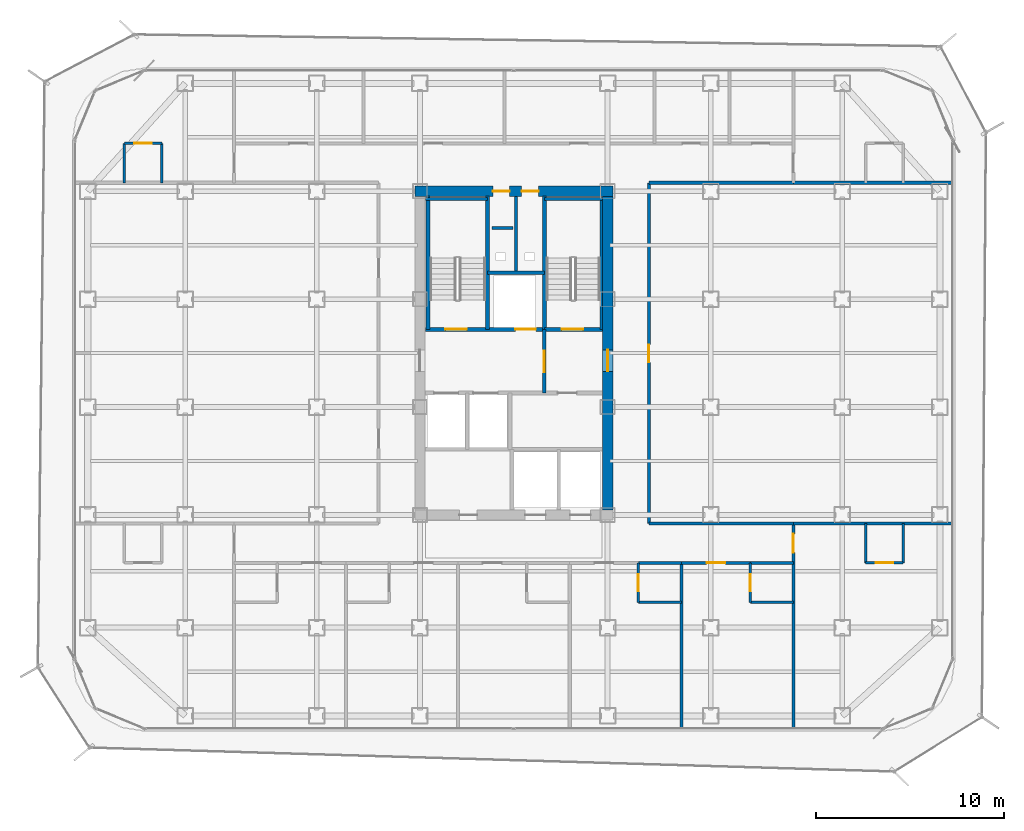
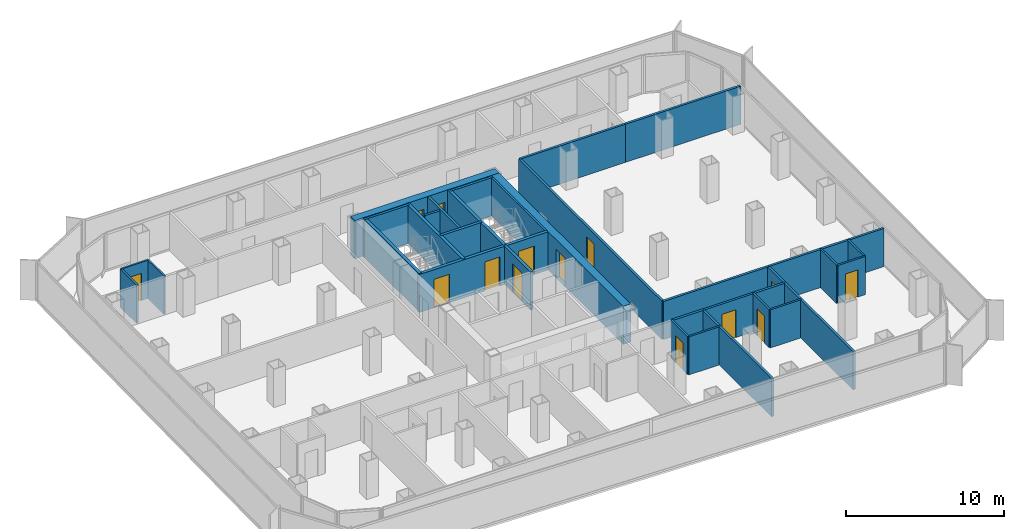
# One storey, part 17 of 21: 34 walls, 14 doors, 14 openings.
"""IFC4 building model written with IfcOpenShell, lengths in metres."""

from ifc_helpers import new_model, si_unit, direction, frame, frame_2d, origin, place, context, subcontext, project, spatial, rectangle, extrude, material, layer, layer_set, type_object, element, fill, save


model = new_model("IFC4")

# Units and contexts
model_context = context("Model", 3, precision=1e-05, world=origin(), true_north=direction((0.0, 1.0)))
body_context = subcontext(model_context, "Body", "Model", "MODEL_VIEW")
ifc_project = project(units=[si_unit("LENGTHUNIT", "METRE"), si_unit("AREAUNIT", "SQUARE_METRE"), si_unit("VOLUMEUNIT", "CUBIC_METRE"), si_unit("PLANEANGLEUNIT", "RADIAN"), si_unit("MASSUNIT", "GRAM", prefix="KILO")], contexts=[model_context])

# Site, building, storey
site_placement = place(None, origin())
site = spatial("IfcSite", under=ifc_project, at=site_placement, CompositionType="ELEMENT")
building_placement = place(site_placement, origin())
building = spatial("IfcBuilding", under=site, at=building_placement, Name="Kolveth Station Tower", CompositionType="ELEMENT")
storey_placement = place(building_placement, frame((0.0, 0.0, 115.10009765625)))
storey = spatial("IfcBuildingStorey", under=building, at=storey_placement, Name="L31", CompositionType="ELEMENT", Elevation=115.10009765625)

# Wall, openings, doors
ifc_material_1 = material(Name="Concrete C60/75", Category="concrete")
ifc_layer_1 = layer(ifc_material_1, 0.550048828125)
ifc_layer_set_1 = layer_set([ifc_layer_1], Name="Concrete C60/75")
wall_type_1 = type_object("IfcWallType", Name="Wall_CW-550", PredefinedType="SHEAR", material=ifc_layer_set_1)
wall_1_placement = place(storey_placement, frame((18.22509765625, 28.75, 0.0), z_axis=(0.0, 0.0, 1.0), x_axis=(1.0, 0.0, 0.0)))
wall_1 = element("IfcWall", 1, at=wall_1_placement, inside=storey, type_object=wall_type_1, Name="L31 Core RC Shear Wall N", PredefinedType="SHEAR", context=body_context, shape_type="SweptSolid", body=[
    extrude(rectangle(XDim=10.5498046875, YDim=0.550048828125, at=frame_2d((5.27490234375, 0.0))), origin(), (0.0, 0.0, 1.0), 2.949951171875),
])
opening_1_placement = place(wall_1_placement, frame((4.155029296875, 0.0, 0.0)))
opening_1 = element("IfcOpeningElement", 2, at=opening_1_placement, cuts=wall_1, Name="Opening RD1", PredefinedType="OPENING", context=body_context, shape_type="SweptSolid", body=[
    extrude(rectangle(XDim=0.89990234375, YDim=2.050048828125, at=frame_2d((0.449951171875, 1.02490234375))), frame((0.0, 0.284912109375, 0.0), z_axis=(0.0, -1.0, 0.0), x_axis=(1.0, 0.0, 0.0)), (0.0, 0.0, 1.0), 0.570068359375),
])
opening_2_placement = place(wall_1_placement, frame((5.695068359375, 0.0, 0.0)))
opening_2 = element("IfcOpeningElement", 3, at=opening_2_placement, cuts=wall_1, Name="Opening RD1", PredefinedType="OPENING", context=body_context, shape_type="SweptSolid", body=[
    extrude(rectangle(XDim=0.89990234375, YDim=2.050048828125, at=frame_2d((0.449951171875, 1.02490234375))), frame((0.0, 0.284912109375, 0.0), z_axis=(0.0, -1.0, 0.0), x_axis=(1.0, 0.0, 0.0)), (0.0, 0.0, 1.0), 0.570068359375),
])
ifc_material_2 = material(Name="Fire-rated Steel S355 riser access leaf", Category="steel")
door_type_1 = type_object("IfcDoorType", Name="Door_RD1", OperationType="NOTDEFINED", PredefinedType="DOOR", material=ifc_material_2)
door_1_placement = place(opening_1_placement, origin())
door_1 = element("IfcDoor", 4, at=door_1_placement, inside=storey, type_object=door_type_1, Name="L31 Electrical Riser Access Door", OperationType="SINGLE_SWING_RIGHT", OverallHeight=2.050048828125, OverallWidth=0.89990234375, PredefinedType="DOOR", context=body_context, shape_type="SweptSolid", body=[
    extrude(rectangle(XDim=0.89990234375, YDim=2.050048828125, at=frame_2d((0.449951171875, 1.02490234375))), frame((0.0, 0.02490234375, 0.0), z_axis=(0.0, -1.0, 0.0), x_axis=(1.0, 0.0, 0.0)), (0.0, 0.0, 1.0), 0.050048828125),
])
fill(opening_1, door_1)
door_2_placement = place(opening_2_placement, origin())
door_2 = element("IfcDoor", 5, at=door_2_placement, inside=storey, type_object=door_type_1, Name="L31 Smoke Duct Access Door", OperationType="SINGLE_SWING_LEFT", OverallHeight=2.050048828125, OverallWidth=0.89990234375, PredefinedType="DOOR", context=body_context, shape_type="SweptSolid", body=[
    extrude(rectangle(XDim=0.89990234375, YDim=2.050048828125, at=frame_2d((0.449951171875, 1.02490234375))), frame((0.0, 0.02490234375, 0.0), z_axis=(0.0, -1.0, 0.0), x_axis=(1.0, 0.0, 0.0)), (0.0, 0.0, 1.0), 0.050048828125),
])
fill(opening_2, door_2)

# Wall, opening, door
wall_2_placement = place(storey_placement, frame((28.5, 11.77490234375, 0.0), z_axis=(0.0, 0.0, 1.0), x_axis=(0.0, 1.0, 0.0)))
wall_2 = element("IfcWall", 6, at=wall_2_placement, inside=storey, type_object=wall_type_1, Name="L31 Core RC Shear Wall E", PredefinedType="SHEAR", context=body_context, shape_type="SweptSolid", body=[
    extrude(rectangle(XDim=16.7001953125, YDim=0.550048828125, at=frame_2d((8.35009765625, 0.0))), origin(), (0.0, 0.0, 1.0), 2.949951171875),
])
opening_3_placement = place(wall_2_placement, frame((7.375, 0.0, 0.0)))
opening_3 = element("IfcOpeningElement", 7, at=opening_3_placement, cuts=wall_2, Name="Opening FD1", PredefinedType="OPENING", context=body_context, shape_type="SweptSolid", body=[
    extrude(rectangle(XDim=1.14990234375, YDim=2.199951171875, at=frame_2d((0.574951171875, 1.10009765625))), frame((0.0, 0.284912109375, 0.0), z_axis=(0.0, -1.0, 0.0), x_axis=(1.0, 0.0, 0.0)), (0.0, 0.0, 1.0), 0.570068359375),
])
ifc_material_3 = material(Name="Fire-rated Steel S355 leaf and frame", Category="steel")
door_type_2 = type_object("IfcDoorType", Name="Door_FD1", OperationType="NOTDEFINED", PredefinedType="DOOR", material=ifc_material_3)
door_3_placement = place(opening_3_placement, origin())
door_3 = element("IfcDoor", 8, at=door_3_placement, inside=storey, type_object=door_type_2, Name="L31 East Corridor to Stair Lobby Door", OperationType="SINGLE_SWING_LEFT", OverallHeight=2.199951171875, OverallWidth=1.14990234375, PredefinedType="DOOR", context=body_context, shape_type="SweptSolid", body=[
    extrude(rectangle(XDim=1.14990234375, YDim=2.199951171875, at=frame_2d((0.574951171875, 1.10009765625))), frame((0.0, 0.02490234375, 0.0), z_axis=(0.0, -1.0, 0.0), x_axis=(1.0, 0.0, 0.0)), (0.0, 0.0, 1.0), 0.050048828125),
])
fill(opening_3, door_3)

# Walls
ifc_material_4 = material(Name="Moisture-resistant gypsum partition")
ifc_layer_2 = layer(ifc_material_4, 0.135009765625)
ifc_layer_set_2 = layer_set([ifc_layer_2], Name="Moisture-resistant gypsum partition")
wall_type_2 = type_object("IfcWallType", Name="Wall_IW-135", PredefinedType="PARTITIONING", material=ifc_layer_set_2)
wall_3_placement = place(storey_placement, frame((28.16748046875, 21.389892578125, 0.0), z_axis=(0.0, 0.0, 1.0), x_axis=(0.0, 1.0, 0.0)))
element("IfcWall", 9, at=wall_3_placement, inside=storey, type_object=wall_type_2, Name="L31 Stair Shaft Wall WL-L31-ST2-E", PredefinedType="PARTITIONING", context=body_context, shape_type="SweptSolid", body=[
    extrude(rectangle(XDim=6.945068359375, YDim=0.135009765625, at=frame_2d((3.47265625, 0.0))), origin(), (0.0, 0.0, 1.0), 2.949951171875),
])
for number, where, z_axis, x_axis, name in (
    (10, (2.75, 29.199951171875, 0.0), (0.0, 0.0, 1.0), (0.0, 1.0, 0.0), "L31 Partition Wall WL-L31-WS2-BV1"),
    (11, (4.75, 29.199951171875, 0.0), (0.0, 0.0, 1.0), (0.0, 1.0, 0.0), "L31 Partition Wall WL-L31-WS2-BV2"),
):
    element("IfcWall", number, at=place(storey_placement, frame(where, z_axis=z_axis, x_axis=x_axis)), inside=storey, type_object=wall_type_2, Name=name, PredefinedType="PARTITIONING", context=body_context, shape_type="SweptSolid", body=[
        extrude(rectangle(XDim=2.10009765625, YDim=0.135009765625, at=frame_2d((1.050048828125, 0.0))), origin(), (0.0, 0.0, 1.0), 2.949951171875),
    ])

# Wall, opening, door
wall_4_placement = place(storey_placement, frame((2.75, 31.300048828125, 0.0), z_axis=(0.0, 0.0, 1.0), x_axis=(1.0, 0.0, 0.0)))
wall_4 = element("IfcWall", 12, at=wall_4_placement, inside=storey, type_object=wall_type_2, Name="L31 Partition Wall WL-L31-WS2-BH", PredefinedType="PARTITIONING", context=body_context, shape_type="SweptSolid", body=[
    extrude(rectangle(XDim=2.0, YDim=0.135009765625, at=frame_2d((1.0, 0.0))), origin(), (0.0, 0.0, 1.0), 2.949951171875),
])
opening_4_placement = place(wall_4_placement, frame((0.5400390625, 0.0, 0.0)))
opening_4 = element("IfcOpeningElement", 13, at=opening_4_placement, cuts=wall_4, Name="Opening ID2", PredefinedType="OPENING", context=body_context, shape_type="SweptSolid", body=[
    extrude(rectangle(XDim=0.919921875, YDim=2.10009765625, at=frame_2d((0.4599609375, 1.050048828125))), frame((0.0, 0.077392578125, 0.0), z_axis=(0.0, -1.0, 0.0), x_axis=(1.0, 0.0, 0.0)), (0.0, 0.0, 1.0), 0.155029296875),
])
ifc_material_5 = material(Name="Moisture-resistant hardwood leaf", Category="wood")
door_type_3 = type_object("IfcDoorType", Name="Door_ID2", OperationType="NOTDEFINED", PredefinedType="DOOR", material=ifc_material_5)
door_4_placement = place(opening_4_placement, frame((0.919921875, 0.0, 0.0), z_axis=(0.0, 0.0, 1.0), x_axis=(-1.0, 0.0, 0.0)))
door_4 = element("IfcDoor", 14, at=door_4_placement, inside=storey, type_object=door_type_3, Name="L31 Hotel Corner Suite WS2 En-Suite Door", OperationType="SINGLE_SWING_LEFT", OverallHeight=2.10009765625, OverallWidth=0.919921875, PredefinedType="DOOR", context=body_context, shape_type="SweptSolid", body=[
    extrude(rectangle(XDim=0.919921875, YDim=2.10009765625, at=frame_2d((0.4599609375, 1.050048828125))), frame((0.0, 0.02490234375, 0.0), z_axis=(0.0, -1.0, 0.0), x_axis=(1.0, 0.0, 0.0)), (0.0, 0.0, 1.0), 0.050048828125),
])
fill(opening_4, door_4)

# Walls
for number, where, z_axis, x_axis, name in (
    (15, (42.25, 8.949951171875, 0.0), (0.0, 0.0, 1.0), (0.0, 1.0, 0.0), "L31 Partition Wall WL-L31-ES1-BV1"),
    (16, (44.25, 8.949951171875, 0.0), (0.0, 0.0, 1.0), (0.0, 1.0, 0.0), "L31 Partition Wall WL-L31-ES1-BV2"),
):
    element("IfcWall", number, at=place(storey_placement, frame(where, z_axis=z_axis, x_axis=x_axis)), inside=storey, type_object=wall_type_2, Name=name, PredefinedType="PARTITIONING", context=body_context, shape_type="SweptSolid", body=[
        extrude(rectangle(XDim=2.10009765625, YDim=0.135009765625, at=frame_2d((1.050048828125, 0.0))), origin(), (0.0, 0.0, 1.0), 2.949951171875),
    ])

# Wall, opening, door
wall_5_placement = place(storey_placement, frame((42.25, 8.949951171875, 0.0), z_axis=(0.0, 0.0, 1.0), x_axis=(1.0, 0.0, 0.0)))
wall_5 = element("IfcWall", 17, at=wall_5_placement, inside=storey, type_object=wall_type_2, Name="L31 Partition Wall WL-L31-ES1-BH", PredefinedType="PARTITIONING", context=body_context, shape_type="SweptSolid", body=[
    extrude(rectangle(XDim=2.0, YDim=0.135009765625, at=frame_2d((1.0, 0.0))), origin(), (0.0, 0.0, 1.0), 2.949951171875),
])
opening_5_placement = place(wall_5_placement, frame((0.5400390625, 0.0, 0.0)))
opening_5 = element("IfcOpeningElement", 18, at=opening_5_placement, cuts=wall_5, Name="Opening ID2", PredefinedType="OPENING", context=body_context, shape_type="SweptSolid", body=[
    extrude(rectangle(XDim=0.919921875, YDim=2.10009765625, at=frame_2d((0.4599609375, 1.050048828125))), frame((0.0, 0.077392578125, 0.0), z_axis=(0.0, -1.0, 0.0), x_axis=(1.0, 0.0, 0.0)), (0.0, 0.0, 1.0), 0.155029296875),
])
door_5_placement = place(opening_5_placement, origin())
door_5 = element("IfcDoor", 19, at=door_5_placement, inside=storey, type_object=door_type_3, Name="L31 Hotel Corner Suite ES1 En-Suite Door", OperationType="SINGLE_SWING_LEFT", OverallHeight=2.10009765625, OverallWidth=0.919921875, PredefinedType="DOOR", context=body_context, shape_type="SweptSolid", body=[
    extrude(rectangle(XDim=0.919921875, YDim=2.10009765625, at=frame_2d((0.4599609375, 1.050048828125))), frame((0.0, 0.02490234375, 0.0), z_axis=(0.0, -1.0, 0.0), x_axis=(1.0, 0.0, 0.0)), (0.0, 0.0, 1.0), 0.050048828125),
])
fill(opening_5, door_5)

wall_6_placement = place(storey_placement, frame((30.139892578125, 6.85009765625, 0.0), z_axis=(0.0, 0.0, 1.0), x_axis=(0.0, 1.0, 0.0)))
wall_6 = element("IfcWall", 20, at=wall_6_placement, inside=storey, type_object=wall_type_2, Name="L31 Partition Wall WL-L31-HS4-BV", PredefinedType="PARTITIONING", context=body_context, shape_type="SweptSolid", body=[
    extrude(rectangle(XDim=2.099853515625, YDim=0.135009765625, at=frame_2d((1.0498046875, 0.0))), origin(), (0.0, 0.0, 1.0), 2.949951171875),
])
opening_6_placement = place(wall_6_placement, frame((0.580078125, 0.0, 0.0)))
opening_6 = element("IfcOpeningElement", 21, at=opening_6_placement, cuts=wall_6, Name="Opening ID2", PredefinedType="OPENING", context=body_context, shape_type="SweptSolid", body=[
    extrude(rectangle(XDim=0.919921875, YDim=2.10009765625, at=frame_2d((0.4599609375, 1.050048828125))), frame((0.0, 0.077392578125, 0.0), z_axis=(0.0, -1.0, 0.0), x_axis=(1.0, 0.0, 0.0)), (0.0, 0.0, 1.0), 0.155029296875),
])
door_6_placement = place(opening_6_placement, origin())
door_6 = element("IfcDoor", 22, at=door_6_placement, inside=storey, type_object=door_type_3, Name="L31 Hotel Guest Room HS4 En-Suite Door", OperationType="SINGLE_SWING_LEFT", OverallHeight=2.10009765625, OverallWidth=0.919921875, PredefinedType="DOOR", context=body_context, shape_type="SweptSolid", body=[
    extrude(rectangle(XDim=0.919921875, YDim=2.10009765625, at=frame_2d((0.4599609375, 1.050048828125))), frame((0.0, 0.02490234375, 0.0), z_axis=(0.0, -1.0, 0.0), x_axis=(1.0, 0.0, 0.0)), (0.0, 0.0, 1.0), 0.050048828125),
])
fill(opening_6, door_6)

# Wall
wall_7_placement = place(storey_placement, frame((30.139892578125, 6.85009765625, 0.0), z_axis=(0.0, 0.0, 1.0), x_axis=(1.0, 0.0, 0.0)))
element("IfcWall", 23, at=wall_7_placement, inside=storey, type_object=wall_type_2, Name="L31 Partition Wall WL-L31-HS4-BH", PredefinedType="PARTITIONING", context=body_context, shape_type="SweptSolid", body=[
    extrude(rectangle(XDim=2.300048828125, YDim=0.135009765625, at=frame_2d((1.14990234375, 0.0))), origin(), (0.0, 0.0, 1.0), 2.949951171875),
])

# Wall, opening, door
wall_8_placement = place(storey_placement, frame((36.10009765625, 6.85009765625, 0.0), z_axis=(0.0, 0.0, 1.0), x_axis=(0.0, 1.0, 0.0)))
wall_8 = element("IfcWall", 24, at=wall_8_placement, inside=storey, type_object=wall_type_2, Name="L31 Partition Wall WL-L31-HS5-BV", PredefinedType="PARTITIONING", context=body_context, shape_type="SweptSolid", body=[
    extrude(rectangle(XDim=2.099853515625, YDim=0.135009765625, at=frame_2d((1.0498046875, 0.0))), origin(), (0.0, 0.0, 1.0), 2.949951171875),
])
opening_7_placement = place(wall_8_placement, frame((0.580078125, 0.0, 0.0)))
opening_7 = element("IfcOpeningElement", 25, at=opening_7_placement, cuts=wall_8, Name="Opening ID2", PredefinedType="OPENING", context=body_context, shape_type="SweptSolid", body=[
    extrude(rectangle(XDim=0.919921875, YDim=2.10009765625, at=frame_2d((0.4599609375, 1.050048828125))), frame((0.0, 0.077392578125, 0.0), z_axis=(0.0, -1.0, 0.0), x_axis=(1.0, 0.0, 0.0)), (0.0, 0.0, 1.0), 0.155029296875),
])
door_7_placement = place(opening_7_placement, origin())
door_7 = element("IfcDoor", 26, at=door_7_placement, inside=storey, type_object=door_type_3, Name="L31 Hotel Guest Room HS5 En-Suite Door", OperationType="SINGLE_SWING_LEFT", OverallHeight=2.10009765625, OverallWidth=0.919921875, PredefinedType="DOOR", context=body_context, shape_type="SweptSolid", body=[
    extrude(rectangle(XDim=0.919921875, YDim=2.10009765625, at=frame_2d((0.4599609375, 1.050048828125))), frame((0.0, 0.02490234375, 0.0), z_axis=(0.0, -1.0, 0.0), x_axis=(1.0, 0.0, 0.0)), (0.0, 0.0, 1.0), 0.050048828125),
])
fill(opening_7, door_7)

# Walls
wall_9_placement = place(storey_placement, frame((36.10009765625, 6.85009765625, 0.0), z_axis=(0.0, 0.0, 1.0), x_axis=(1.0, 0.0, 0.0)))
element("IfcWall", 27, at=wall_9_placement, inside=storey, type_object=wall_type_2, Name="L31 Partition Wall WL-L31-HS5-BH", PredefinedType="PARTITIONING", context=body_context, shape_type="SweptSolid", body=[
    extrude(rectangle(XDim=2.2998046875, YDim=0.135009765625, at=frame_2d((1.14990234375, 0.0))), origin(), (0.0, 0.0, 1.0), 2.949951171875),
])
ifc_material_6 = material(Name="Acoustic double-stud gypsum partition")
ifc_layer_3 = layer(ifc_material_6, 0.1650390625)
ifc_layer_set_3 = layer_set([ifc_layer_3], Name="Acoustic double-stud gypsum partition")
wall_type_3 = type_object("IfcWallType", Name="Wall_IW-165", PredefinedType="PARTITIONING", material=ifc_layer_set_3)
wall_10_placement = place(storey_placement, frame((18.784912109375, 28.3349609375, 0.0), z_axis=(0.0, 0.0, 1.0), x_axis=(1.0, 0.0, 0.0)))
element("IfcWall", 28, at=wall_10_placement, inside=storey, type_object=wall_type_3, Name="L31 Stair Shaft Wall WL-L31-ST1-N", PredefinedType="PARTITIONING", context=body_context, shape_type="SweptSolid", body=[
    extrude(rectangle(XDim=3.3251953125, YDim=0.1650390625, at=frame_2d((1.66259765625, 0.0))), origin(), (0.0, 0.0, 1.0), 2.949951171875),
])
wall_11_placement = place(storey_placement, frame((25.1298828125, 28.3349609375, 0.0), z_axis=(0.0, 0.0, 1.0), x_axis=(1.0, 0.0, 0.0)))
element("IfcWall", 29, at=wall_11_placement, inside=storey, type_object=wall_type_3, Name="L31 Stair Shaft Wall WL-L31-ST2-N", PredefinedType="PARTITIONING", context=body_context, shape_type="SweptSolid", body=[
    extrude(rectangle(XDim=3.085205078125, YDim=0.1650390625, at=frame_2d((1.54248046875, 0.0))), origin(), (0.0, 0.0, 1.0), 2.949951171875),
])
wall_12_placement = place(storey_placement, frame((23.6201171875, 24.39990234375, 0.0), z_axis=(0.0, 0.0, 1.0), x_axis=(0.0, 1.0, 0.0)))
element("IfcWall", 30, at=wall_12_placement, inside=storey, type_object=wall_type_3, Name="L31 Partition Wall WL-L31-RSR-M", PredefinedType="PARTITIONING", context=body_context, shape_type="SweptSolid", body=[
    extrude(rectangle(XDim=4.065185546875, YDim=0.1650390625, at=frame_2d((2.03271484375, 0.0))), origin(), (0.0, 0.0, 1.0), 2.949951171875),
])
for number, where, z_axis, x_axis, name in (
    (31, (30.699951171875, 11.050048828125, 0.0), (0.0, 0.0, 1.0), (1.0, 0.0, 0.0), "L31 Partition Wall WL-L31-HSET"),
    (32, (30.699951171875, 29.199951171875, 0.0), (0.0, 0.0, 1.0), (1.0, 0.0, 0.0), "L31 Partition Wall WL-L31-HNEB"),
):
    element("IfcWall", number, at=place(storey_placement, frame(where, z_axis=z_axis, x_axis=x_axis)), inside=storey, type_object=wall_type_3, Name=name, PredefinedType="PARTITIONING", context=body_context, shape_type="SweptSolid", body=[
        extrude(rectangle(XDim=7.699951171875, YDim=0.1650390625, at=frame_2d((3.85009765625, 0.0))), origin(), (0.0, 0.0, 1.0), 2.949951171875),
    ])

# Wall, opening, door
wall_13_placement = place(storey_placement, frame((30.699951171875, 11.050048828125, 0.0), z_axis=(0.0, 0.0, 1.0), x_axis=(0.0, 1.0, 0.0)))
wall_13 = element("IfcWall", 33, at=wall_13_placement, inside=storey, type_object=wall_type_3, Name="L31 Partition Wall WL-L31-HE", PredefinedType="PARTITIONING", context=body_context, shape_type="SweptSolid", body=[
    extrude(rectangle(XDim=18.14990234375, YDim=0.1650390625, at=frame_2d((9.074951171875, 0.0))), origin(), (0.0, 0.0, 1.0), 2.949951171875),
])
opening_8_placement = place(wall_13_placement, frame((8.574951171875, 0.0, 0.0)))
opening_8 = element("IfcOpeningElement", 34, at=opening_8_placement, cuts=wall_13, Name="Opening ID1", PredefinedType="OPENING", context=body_context, shape_type="SweptSolid", body=[
    extrude(rectangle(XDim=0.949951171875, YDim=2.14990234375, at=frame_2d((0.47509765625, 1.074951171875))), frame((0.0, 0.092529296875, 0.0), z_axis=(0.0, -1.0, 0.0), x_axis=(1.0, 0.0, 0.0)), (0.0, 0.0, 1.0), 0.18505859375),
])
ifc_material_7 = material(Name="Acoustic hardwood leaf and aluminium frame", Category="wood")
door_type_4 = type_object("IfcDoorType", Name="Door_ID1", OperationType="NOTDEFINED", PredefinedType="DOOR", material=ifc_material_7)
door_8_placement = place(opening_8_placement, origin())
door_8 = element("IfcDoor", 35, at=door_8_placement, inside=storey, type_object=door_type_4, Name="L31 Hotel Sky Lounge East Door", OperationType="SINGLE_SWING_RIGHT", OverallHeight=2.14990234375, OverallWidth=0.949951171875, PredefinedType="DOOR", context=body_context, shape_type="SweptSolid", body=[
    extrude(rectangle(XDim=0.949951171875, YDim=2.14990234375, at=frame_2d((0.47509765625, 1.074951171875))), frame((0.0, 0.02490234375, 0.0), z_axis=(0.0, -1.0, 0.0), x_axis=(1.0, 0.0, 0.0)), (0.0, 0.0, 1.0), 0.050048828125),
])
fill(opening_8, door_8)

wall_14_placement = place(storey_placement, frame((38.39990234375, 0.159912109375, 0.0), z_axis=(0.0, 0.0, 1.0), x_axis=(0.0, 1.0, 0.0)))
wall_14 = element("IfcWall", 36, at=wall_14_placement, inside=storey, type_object=wall_type_3, Name="L31 Partition Wall WL-L31-END-ES", PredefinedType="PARTITIONING", context=body_context, shape_type="SweptSolid", body=[
    extrude(rectangle(XDim=10.89013671875, YDim=0.1650390625, at=frame_2d((5.445068359375, 0.0))), origin(), (0.0, 0.0, 1.0), 2.949951171875),
])
opening_9_placement = place(wall_14_placement, frame((9.340087890625, 0.0, 0.0)))
opening_9 = element("IfcOpeningElement", 37, at=opening_9_placement, cuts=wall_14, Name="Opening FD3", PredefinedType="OPENING", context=body_context, shape_type="SweptSolid", body=[
    extrude(rectangle(XDim=1.0, YDim=2.14990234375, at=frame_2d((0.5, 1.074951171875))), frame((0.0, 0.092529296875, 0.0), z_axis=(0.0, -1.0, 0.0), x_axis=(1.0, 0.0, 0.0)), (0.0, 0.0, 1.0), 0.18505859375),
])
ifc_material_8 = material(Name="Fire-rated hardwood leaf and aluminium frame", Category="wood")
door_type_5 = type_object("IfcDoorType", Name="Door_FD3", OperationType="NOTDEFINED", PredefinedType="DOOR", material=ifc_material_8)
door_9_placement = place(opening_9_placement, frame((1.0, 0.0, 0.0), z_axis=(0.0, 0.0, 1.0), x_axis=(-1.0, 0.0, 0.0)))
door_9 = element("IfcDoor", 38, at=door_9_placement, inside=storey, type_object=door_type_5, Name="L31 Hotel Corner Suite ES1 Entrance Door", OperationType="SINGLE_SWING_RIGHT", OverallHeight=2.14990234375, OverallWidth=1.0, PredefinedType="DOOR", context=body_context, shape_type="SweptSolid", body=[
    extrude(rectangle(XDim=1.0, YDim=2.14990234375, at=frame_2d((0.5, 1.074951171875))), frame((0.0, 0.02490234375, 0.0), z_axis=(0.0, -1.0, 0.0), x_axis=(1.0, 0.0, 0.0)), (0.0, 0.0, 1.0), 0.050048828125),
])
fill(opening_9, door_9)

# Walls
for number, where, z_axis, x_axis, name in (
    (39, (38.39990234375, 11.050048828125, 0.0), (0.0, 0.0, 1.0), (1.0, 0.0, 0.0), "L31 Partition Wall WL-L31-EM1"),
    (40, (38.39990234375, 29.199951171875, 0.0), (0.0, 0.0, 1.0), (1.0, 0.0, 0.0), "L31 Partition Wall WL-L31-EM2"),
):
    element("IfcWall", number, at=place(storey_placement, frame(where, z_axis=z_axis, x_axis=x_axis)), inside=storey, type_object=wall_type_3, Name=name, PredefinedType="PARTITIONING", context=body_context, shape_type="SweptSolid", body=[
        extrude(rectangle(XDim=8.440185546875, YDim=0.1650390625, at=frame_2d((4.22021484375, 0.0))), origin(), (0.0, 0.0, 1.0), 2.949951171875),
    ])
wall_15_placement = place(storey_placement, frame((30.139892578125, 8.949951171875, 0.0), z_axis=(0.0, 0.0, 1.0), x_axis=(1.0, 0.0, 0.0)))
element("IfcWall", 41, at=wall_15_placement, inside=storey, type_object=wall_type_3, Name="L31 Partition Wall WL-L31-HS4-BCOR", PredefinedType="PARTITIONING", context=body_context, shape_type="SweptSolid", body=[
    extrude(rectangle(XDim=2.300048828125, YDim=0.1650390625, at=frame_2d((1.14990234375, 0.0))), origin(), (0.0, 0.0, 1.0), 2.949951171875),
])
wall_16_placement = place(storey_placement, frame((32.43994140625, 0.159912109375, 0.0), z_axis=(0.0, 0.0, 1.0), x_axis=(0.0, 1.0, 0.0)))
element("IfcWall", 42, at=wall_16_placement, inside=storey, type_object=wall_type_3, Name="L31 Partition Wall WL-L31-HSK-4", PredefinedType="PARTITIONING", context=body_context, shape_type="SweptSolid", body=[
    extrude(rectangle(XDim=8.7900390625, YDim=0.1650390625, at=frame_2d((4.39501953125, 0.0))), origin(), (0.0, 0.0, 1.0), 2.949951171875),
])
wall_17_placement = place(storey_placement, frame((36.10009765625, 8.949951171875, 0.0), z_axis=(0.0, 0.0, 1.0), x_axis=(1.0, 0.0, 0.0)))
element("IfcWall", 43, at=wall_17_placement, inside=storey, type_object=wall_type_3, Name="L31 Partition Wall WL-L31-HS5-BCOR", PredefinedType="PARTITIONING", context=body_context, shape_type="SweptSolid", body=[
    extrude(rectangle(XDim=2.2998046875, YDim=0.1650390625, at=frame_2d((1.14990234375, 0.0))), origin(), (0.0, 0.0, 1.0), 2.949951171875),
])

# Wall, opening, door
wall_18_placement = place(storey_placement, frame((32.43994140625, 8.949951171875, 0.0), z_axis=(0.0, 0.0, 1.0), x_axis=(1.0, 0.0, 0.0)))
wall_18 = element("IfcWall", 44, at=wall_18_placement, inside=storey, type_object=wall_type_3, Name="L31 Partition Wall WL-L31-HS5-RCOR", PredefinedType="PARTITIONING", context=body_context, shape_type="SweptSolid", body=[
    extrude(rectangle(XDim=3.66015625, YDim=0.1650390625, at=frame_2d((1.830078125, 0.0))), origin(), (0.0, 0.0, 1.0), 2.949951171875),
])
opening_10_placement = place(wall_18_placement, frame((1.330078125, 0.0, 0.0)))
opening_10 = element("IfcOpeningElement", 45, at=opening_10_placement, cuts=wall_18, Name="Opening FD3", PredefinedType="OPENING", context=body_context, shape_type="SweptSolid", body=[
    extrude(rectangle(XDim=1.0, YDim=2.14990234375, at=frame_2d((0.5, 1.074951171875))), frame((0.0, 0.092529296875, 0.0), z_axis=(0.0, -1.0, 0.0), x_axis=(1.0, 0.0, 0.0)), (0.0, 0.0, 1.0), 0.18505859375),
])
door_10_placement = place(opening_10_placement, frame((1.0, 0.0, 0.0), z_axis=(0.0, 0.0, 1.0), x_axis=(-1.0, 0.0, 0.0)))
door_10 = element("IfcDoor", 46, at=door_10_placement, inside=storey, type_object=door_type_5, Name="L31 Hotel Guest Room HS5 Entrance Door", OperationType="SINGLE_SWING_RIGHT", OverallHeight=2.14990234375, OverallWidth=1.0, PredefinedType="DOOR", context=body_context, shape_type="SweptSolid", body=[
    extrude(rectangle(XDim=1.0, YDim=2.14990234375, at=frame_2d((0.5, 1.074951171875))), frame((0.0, 0.02490234375, 0.0), z_axis=(0.0, -1.0, 0.0), x_axis=(1.0, 0.0, 0.0)), (0.0, 0.0, 1.0), 0.050048828125),
])
fill(opening_10, door_10)

# Walls
wall_19_placement = place(storey_placement, frame((22.35009765625, 26.800048828125, 0.0), z_axis=(0.0, 0.0, 1.0), x_axis=(1.0, 0.0, 0.0)))
element("IfcWall", 47, at=wall_19_placement, inside=storey, type_object=wall_type_3, Name="L31 Acoustic Riser Dry-Lining Wall", PredefinedType="PARTITIONING", context=body_context, shape_type="SweptSolid", body=[
    extrude(rectangle(XDim=1.099853515625, YDim=0.1650390625, at=frame_2d((0.5498046875, 0.0))), origin(), (0.0, 0.0, 1.0), 2.949951171875),
])
ifc_material_9 = material(Name="Acoustic fire-rated gypsum blockwork", Category="masonry")
ifc_layer_4 = layer(ifc_material_9, 0.199951171875)
ifc_layer_set_4 = layer_set([ifc_layer_4], Name="Acoustic fire-rated gypsum blockwork")
wall_type_4 = type_object("IfcWallType", Name="Wall_IW-200", PredefinedType="PARTITIONING", material=ifc_layer_set_4)
wall_20_placement = place(storey_placement, frame((22.110107421875, 24.39990234375, 0.0), z_axis=(0.0, 0.0, 1.0), x_axis=(1.0, 0.0, 0.0)))
element("IfcWall", 48, at=wall_20_placement, inside=storey, type_object=wall_type_4, Name="L31 Partition Wall WL-L31-RSR-S", PredefinedType="PARTITIONING", context=body_context, shape_type="SweptSolid", body=[
    extrude(rectangle(XDim=3.019775390625, YDim=0.199951171875, at=frame_2d((1.509765625, 0.0))), origin(), (0.0, 0.0, 1.0), 2.949951171875),
])

# Wall, opening, door
wall_21_placement = place(storey_placement, frame((25.1298828125, 18.0, 0.0), z_axis=(0.0, 0.0, 1.0), x_axis=(0.0, 1.0, 0.0)))
wall_21 = element("IfcWall", 49, at=wall_21_placement, inside=storey, type_object=wall_type_4, Name="L31 Partition Wall WL-L31-FFL-E", PredefinedType="PARTITIONING", context=body_context, shape_type="SweptSolid", body=[
    extrude(rectangle(XDim=3.389892578125, YDim=0.199951171875, at=frame_2d((1.69482421875, 0.0))), origin(), (0.0, 0.0, 1.0), 2.949951171875),
])
opening_11_placement = place(wall_21_placement, frame((1.10009765625, 0.0, 0.0)))
opening_11 = element("IfcOpeningElement", 50, at=opening_11_placement, cuts=wall_21, Name="Opening FD1", PredefinedType="OPENING", context=body_context, shape_type="SweptSolid", body=[
    extrude(rectangle(XDim=1.14990234375, YDim=2.199951171875, at=frame_2d((0.574951171875, 1.10009765625))), frame((0.0, 0.10986328125, 0.0), z_axis=(0.0, -1.0, 0.0), x_axis=(1.0, 0.0, 0.0)), (0.0, 0.0, 1.0), 0.219970703125),
])
door_11_placement = place(opening_11_placement, origin())
door_11 = element("IfcDoor", 51, at=door_11_placement, inside=storey, type_object=door_type_2, Name="L31 Firefighting to Stair Lobby Door", OperationType="SINGLE_SWING_RIGHT", OverallHeight=2.199951171875, OverallWidth=1.14990234375, PredefinedType="DOOR", context=body_context, shape_type="SweptSolid", body=[
    extrude(rectangle(XDim=1.14990234375, YDim=2.199951171875, at=frame_2d((0.574951171875, 1.10009765625))), frame((0.0, 0.02490234375, 0.0), z_axis=(0.0, -1.0, 0.0), x_axis=(1.0, 0.0, 0.0)), (0.0, 0.0, 1.0), 0.050048828125),
])
fill(opening_11, door_11)

# Walls
ifc_material_10 = material(Name="Concrete C40/50", Category="concrete")
ifc_layer_5 = layer(ifc_material_10, 0.219970703125)
ifc_layer_set_5 = layer_set([ifc_layer_5], Name="Concrete C40/50")
wall_type_5 = type_object("IfcWallType", Name="Wall_IW-220", PredefinedType="SOLIDWALL", material=ifc_layer_set_5)
for number, where, z_axis, x_axis, name in (
    (52, (18.929931640625, 21.389892578125, 0.0), (0.0, 0.0, 1.0), (0.0, 1.0, 0.0), "L31 Stair Shaft Wall WL-L31-ST1-W"),
    (53, (22.110107421875, 21.389892578125, 0.0), (0.0, 0.0, 1.0), (0.0, 1.0, 0.0), "L31 Stair Shaft Wall WL-L31-ST1-E"),
    (54, (25.1298828125, 21.389892578125, 0.0), (0.0, 0.0, 1.0), (0.0, 1.0, 0.0), "L31 Stair Shaft Wall WL-L31-ST2-W"),
):
    element("IfcWall", number, at=place(storey_placement, frame(where, z_axis=z_axis, x_axis=x_axis)), inside=storey, type_object=wall_type_5, Name=name, PredefinedType="SOLIDWALL", context=body_context, shape_type="SweptSolid", body=[
        extrude(rectangle(XDim=7.110107421875, YDim=0.219970703125, at=frame_2d((3.55517578125, 0.0))), origin(), (0.0, 0.0, 1.0), 2.949951171875),
    ])

# Wall, openings, doors
wall_22_placement = place(storey_placement, frame((18.784912109375, 21.389892578125, 0.0), z_axis=(0.0, 0.0, 1.0), x_axis=(1.0, 0.0, 0.0)))
wall_22 = element("IfcWall", 55, at=wall_22_placement, inside=storey, type_object=wall_type_5, Name="L31 Stair Shaft Wall WL-L31-ST1-S", PredefinedType="SOLIDWALL", context=body_context, shape_type="SweptSolid", body=[
    extrude(rectangle(XDim=6.344970703125, YDim=0.219970703125, at=frame_2d((3.17236328125, 0.0))), origin(), (0.0, 0.0, 1.0), 2.949951171875),
])
opening_12_placement = place(wall_22_placement, frame((1.06494140625, 0.0, 0.0)))
opening_12 = element("IfcOpeningElement", 56, at=opening_12_placement, cuts=wall_22, Name="Opening FD1", PredefinedType="OPENING", context=body_context, shape_type="SweptSolid", body=[
    extrude(rectangle(XDim=1.14990234375, YDim=2.199951171875, at=frame_2d((0.574951171875, 1.10009765625))), frame((0.0, 0.119873046875, 0.0), z_axis=(0.0, -1.0, 0.0), x_axis=(1.0, 0.0, 0.0)), (0.0, 0.0, 1.0), 0.239990234375),
])
opening_13_placement = place(wall_22_placement, frame((4.794921875, 0.0, 0.0)))
opening_13 = element("IfcOpeningElement", 57, at=opening_13_placement, cuts=wall_22, Name="Opening LD1", PredefinedType="OPENING", context=body_context, shape_type="SweptSolid", body=[
    extrude(rectangle(XDim=1.10009765625, YDim=2.25, at=frame_2d((0.550048828125, 1.125))), frame((0.0, 0.119873046875, 0.0), z_axis=(0.0, -1.0, 0.0), x_axis=(1.0, 0.0, 0.0)), (0.0, 0.0, 1.0), 0.239990234375),
])
door_12_placement = place(opening_12_placement, frame((1.14990234375, 0.0, 0.0), z_axis=(0.0, 0.0, 1.0), x_axis=(-1.0, 0.0, 0.0)))
door_12 = element("IfcDoor", 58, at=door_12_placement, inside=storey, type_object=door_type_2, Name="L31 Stair ST1 Fire Door", OperationType="SINGLE_SWING_RIGHT", OverallHeight=2.199951171875, OverallWidth=1.14990234375, PredefinedType="DOOR", context=body_context, shape_type="SweptSolid", body=[
    extrude(rectangle(XDim=1.14990234375, YDim=2.199951171875, at=frame_2d((0.574951171875, 1.10009765625))), frame((0.0, 0.02490234375, 0.0), z_axis=(0.0, -1.0, 0.0), x_axis=(1.0, 0.0, 0.0)), (0.0, 0.0, 1.0), 0.050048828125),
])
fill(opening_12, door_12)
ifc_material_11 = material(Name="Brushed stainless steel sliding landing doors", Category="steel")
door_type_6 = type_object("IfcDoorType", Name="Door_LD1", OperationType="NOTDEFINED", PredefinedType="DOOR", material=ifc_material_11)
door_13_placement = place(opening_13_placement, frame((1.10009765625, 0.0, 0.0), z_axis=(0.0, 0.0, 1.0), x_axis=(-1.0, 0.0, 0.0)))
door_13 = element("IfcDoor", 59, at=door_13_placement, inside=storey, type_object=door_type_6, Name="L31 Service Lift SV1 Landing Door", OperationType="DOUBLE_DOOR_SLIDING", OverallHeight=2.25, OverallWidth=1.10009765625, PredefinedType="DOOR", context=body_context, shape_type="SweptSolid", body=[
    extrude(rectangle(XDim=1.10009765625, YDim=2.25, at=frame_2d((0.550048828125, 1.125))), frame((0.0, 0.02490234375, 0.0), z_axis=(0.0, -1.0, 0.0), x_axis=(1.0, 0.0, 0.0)), (0.0, 0.0, 1.0), 0.050048828125),
])
fill(opening_13, door_13)

# Wall, opening, door
wall_23_placement = place(storey_placement, frame((25.1298828125, 21.389892578125, 0.0), z_axis=(0.0, 0.0, 1.0), x_axis=(1.0, 0.0, 0.0)))
wall_23 = element("IfcWall", 60, at=wall_23_placement, inside=storey, type_object=wall_type_5, Name="L31 Stair Shaft Wall WL-L31-ST2-S", PredefinedType="SOLIDWALL", context=body_context, shape_type="SweptSolid", body=[
    extrude(rectangle(XDim=3.085205078125, YDim=0.219970703125, at=frame_2d((1.54248046875, 0.0))), origin(), (0.0, 0.0, 1.0), 2.949951171875),
])
opening_14_placement = place(wall_23_placement, frame((0.919921875, 0.0, 0.0)))
opening_14 = element("IfcOpeningElement", 61, at=opening_14_placement, cuts=wall_23, Name="Opening FD1", PredefinedType="OPENING", context=body_context, shape_type="SweptSolid", body=[
    extrude(rectangle(XDim=1.14990234375, YDim=2.199951171875, at=frame_2d((0.574951171875, 1.10009765625))), frame((0.0, 0.119873046875, 0.0), z_axis=(0.0, -1.0, 0.0), x_axis=(1.0, 0.0, 0.0)), (0.0, 0.0, 1.0), 0.239990234375),
])
door_14_placement = place(opening_14_placement, frame((1.14990234375, 0.0, 0.0), z_axis=(0.0, 0.0, 1.0), x_axis=(-1.0, 0.0, 0.0)))
door_14 = element("IfcDoor", 62, at=door_14_placement, inside=storey, type_object=door_type_2, Name="L31 Stair ST2 Fire Door", OperationType="SINGLE_SWING_LEFT", OverallHeight=2.199951171875, OverallWidth=1.14990234375, PredefinedType="DOOR", context=body_context, shape_type="SweptSolid", body=[
    extrude(rectangle(XDim=1.14990234375, YDim=2.199951171875, at=frame_2d((0.574951171875, 1.10009765625))), frame((0.0, 0.02490234375, 0.0), z_axis=(0.0, -1.0, 0.0), x_axis=(1.0, 0.0, 0.0)), (0.0, 0.0, 1.0), 0.050048828125),
])
fill(opening_14, door_14)

save(model, "model.ifc")
